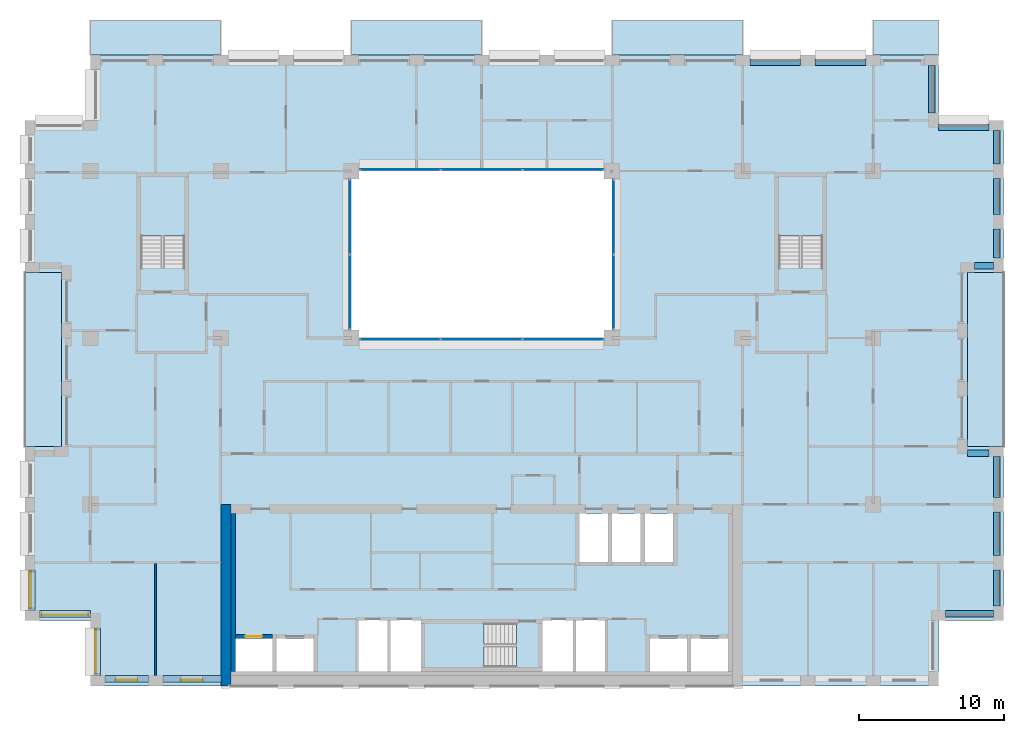
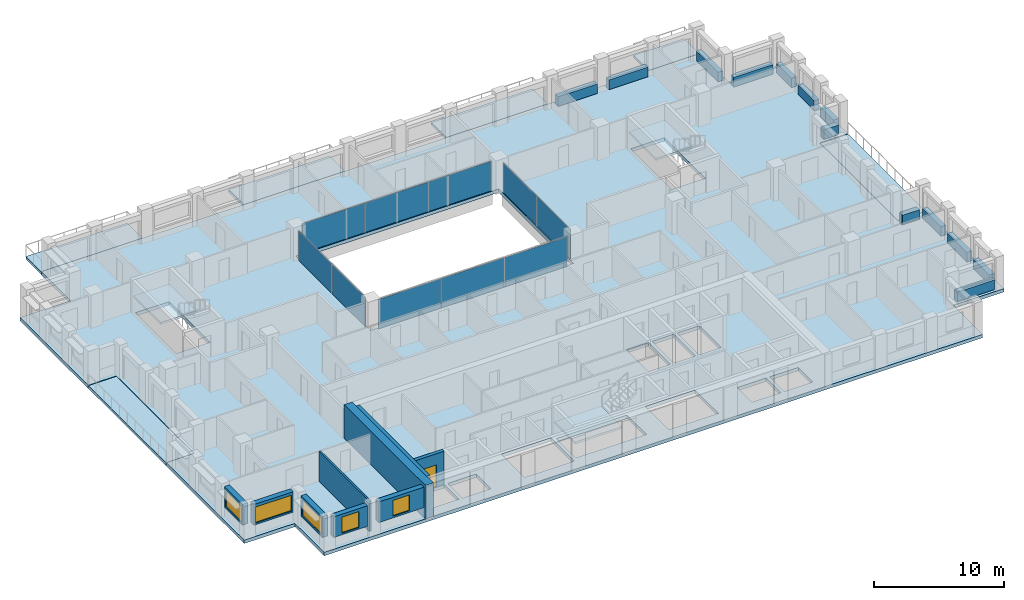
# One storey, part 7 of 15: 13 beams, 10 plates, 10 slabs, 9 walls, 5 windows, 1 door, 6 openings, 7 elements without a shape of their own.
"""IFC4 building model written with IfcOpenShell, lengths in metres."""

from ifc_helpers import new_model, si_unit, direction, frame, frame_2d, origin, origin_2d, place, context, subcontext, project, spatial, polyline, rectangle, outline, extrude, material, layer, layer_set, material_profile, profile_set, type_object, element, fill, aggregate, save


model = new_model("IFC4")

# Units and contexts
model_context = context("Model", 3, precision=1e-05, world=origin(), true_north=direction((0.0, 1.0)))
body_context = subcontext(model_context, "Body", "Model", "MODEL_VIEW")
ifc_project = project(units=[si_unit("LENGTHUNIT", "METRE"), si_unit("AREAUNIT", "SQUARE_METRE"), si_unit("VOLUMEUNIT", "CUBIC_METRE"), si_unit("PLANEANGLEUNIT", "RADIAN"), si_unit("MASSUNIT", "GRAM", prefix="KILO")], contexts=[model_context])

# Site, building, storey
site_placement = place(None, origin())
site = spatial("IfcSite", under=ifc_project, at=site_placement, CompositionType="ELEMENT")
building_placement = place(site_placement, origin())
building = spatial("IfcBuilding", under=site, at=building_placement, Name="Brigalow Station Residences", CompositionType="ELEMENT")
storey_placement = place(building_placement, frame((0.0, 0.0, 175.949951171875)))
storey = spatial("IfcBuildingStorey", under=building, at=storey_placement, Name="L51", CompositionType="ELEMENT", Elevation=175.949951171875)

# Beams
ifc_material_1 = material(Name="Concrete C50", Category="concrete")
ifc_material_profile = material_profile(ifc_material_1, rectangle(XDim=0.449951171875, YDim=0.89990234375, at=origin_2d()), Name="RC450x900")
ifc_profile_set = profile_set([ifc_material_profile], Name="Concrete C50")
beam_type = type_object("IfcBeamType", Name="SPANDREL BEAM 450x900 C50", PredefinedType="SPANDREL", material=ifc_profile_set)
beam_1_placement = place(storey_placement, frame((68.0, 4.97509765625, 0.449951171875), z_axis=(1.0, 0.0, 0.0), x_axis=(0.0, 1.0, 0.0)))
element("IfcBeam", 1, at=beam_1_placement, inside=storey, type_object=beam_type, Name="L51/spandrel/W-L51-8", PredefinedType="SPANDREL", context=body_context, shape_type="SweptSolid", body=[
    extrude(rectangle(XDim=0.449951171875, YDim=0.89990234375, at=origin_2d()), origin(), (0.0, 0.0, 1.0), 3.300048828125),
])
beam_2_placement = place(storey_placement, frame((71.52490234375, 5.5, 0.449951171875), z_axis=(0.0, 1.0, 0.0), x_axis=(-1.0, 0.0, 0.0)))
element("IfcBeam", 2, at=beam_2_placement, inside=storey, type_object=beam_type, Name="L51/spandrel/W-L51-9", PredefinedType="SPANDREL", context=body_context, shape_type="SweptSolid", body=[
    extrude(rectangle(XDim=0.449951171875, YDim=0.89990234375, at=origin_2d()), origin(), (0.0, 0.0, 1.0), 2.5),
])
beam_3_placement = place(storey_placement, frame((71.52490234375, 9.0, 0.449951171875), z_axis=(0.0, 1.0, 0.0), x_axis=(-1.0, 0.0, 0.0)))
element("IfcBeam", 3, at=beam_3_placement, inside=storey, type_object=beam_type, Name="L51/spandrel/W-L51-10", PredefinedType="SPANDREL", context=body_context, shape_type="SweptSolid", body=[
    extrude(rectangle(XDim=0.449951171875, YDim=0.89990234375, at=origin_2d()), origin(), (0.0, 0.0, 1.0), 3.0),
])
beam_4_placement = place(storey_placement, frame((71.52490234375, 13.0, 0.449951171875), z_axis=(0.0, 1.0, 0.0), x_axis=(-1.0, 0.0, 0.0)))
element("IfcBeam", 4, at=beam_4_placement, inside=storey, type_object=beam_type, Name="L51/spandrel/W-L51-11", PredefinedType="SPANDREL", context=body_context, shape_type="SweptSolid", body=[
    extrude(rectangle(XDim=0.449951171875, YDim=0.89990234375, at=origin_2d()), origin(), (0.0, 0.0, 1.0), 2.800048828125),
])
beam_5_placement = place(storey_placement, frame((71.0, 16.02490234375, 0.449951171875), z_axis=(-1.0, 0.0, 0.0), x_axis=(0.0, -1.0, 0.0)))
element("IfcBeam", 5, at=beam_5_placement, inside=storey, type_object=beam_type, Name="L51/spandrel/W-L51-12", PredefinedType="SPANDREL", context=body_context, shape_type="SweptSolid", body=[
    extrude(rectangle(XDim=0.449951171875, YDim=0.89990234375, at=origin_2d()), origin(), (0.0, 0.0, 1.0), 1.5),
])
beam_6_placement = place(storey_placement, frame((70.0, 28.97509765625, 0.449951171875), z_axis=(1.0, 0.0, 0.0), x_axis=(0.0, 1.0, 0.0)))
element("IfcBeam", 6, at=beam_6_placement, inside=storey, type_object=beam_type, Name="L51/spandrel/W-L51-16", PredefinedType="SPANDREL", context=body_context, shape_type="SweptSolid", body=[
    extrude(rectangle(XDim=0.449951171875, YDim=0.89990234375, at=origin_2d()), origin(), (0.0, 0.0, 1.0), 1.300048828125),
])
beam_7_placement = place(storey_placement, frame((71.52490234375, 29.5, 0.449951171875), z_axis=(0.0, 1.0, 0.0), x_axis=(-1.0, 0.0, 0.0)))
element("IfcBeam", 7, at=beam_7_placement, inside=storey, type_object=beam_type, Name="L51/spandrel/W-L51-17", PredefinedType="SPANDREL", context=body_context, shape_type="SweptSolid", body=[
    extrude(rectangle(XDim=0.449951171875, YDim=0.89990234375, at=origin_2d()), origin(), (0.0, 0.0, 1.0), 2.0),
])
beam_8_placement = place(storey_placement, frame((71.52490234375, 32.5, 0.449951171875), z_axis=(0.0, 1.0, 0.0), x_axis=(-1.0, 0.0, 0.0)))
element("IfcBeam", 8, at=beam_8_placement, inside=storey, type_object=beam_type, Name="L51/spandrel/W-L51-18", PredefinedType="SPANDREL", context=body_context, shape_type="SweptSolid", body=[
    extrude(rectangle(XDim=0.449951171875, YDim=0.89990234375, at=origin_2d()), origin(), (0.0, 0.0, 1.0), 2.5),
])
beam_9_placement = place(storey_placement, frame((71.52490234375, 36.0, 0.449951171875), z_axis=(0.0, 1.0, 0.0), x_axis=(-1.0, 0.0, 0.0)))
element("IfcBeam", 9, at=beam_9_placement, inside=storey, type_object=beam_type, Name="L51/spandrel/W-L51-19", PredefinedType="SPANDREL", context=body_context, shape_type="SweptSolid", body=[
    extrude(rectangle(XDim=0.449951171875, YDim=0.89990234375, at=origin_2d()), origin(), (0.0, 0.0, 1.0), 2.300048828125),
])
beam_10_placement = place(storey_placement, frame((71.0, 38.52490234375, 0.449951171875), z_axis=(-1.0, 0.0, 0.0), x_axis=(0.0, -1.0, 0.0)))
element("IfcBeam", 10, at=beam_10_placement, inside=storey, type_object=beam_type, Name="L51/spandrel/W-L51-20", PredefinedType="SPANDREL", context=body_context, shape_type="SweptSolid", body=[
    extrude(rectangle(XDim=0.449951171875, YDim=0.89990234375, at=origin_2d()), origin(), (0.0, 0.0, 1.0), 3.5),
])
beam_11_placement = place(storey_placement, frame((67.02490234375, 39.5, 0.449951171875), z_axis=(0.0, 1.0, 0.0), x_axis=(-1.0, 0.0, 0.0)))
element("IfcBeam", 11, at=beam_11_placement, inside=storey, type_object=beam_type, Name="L51/spandrel/W-L51-21", PredefinedType="SPANDREL", context=body_context, shape_type="SweptSolid", body=[
    extrude(rectangle(XDim=0.449951171875, YDim=0.89990234375, at=origin_2d()), origin(), (0.0, 0.0, 1.0), 3.300048828125),
])
for number, where, z_axis, x_axis, name in (
    (12, (62.5, 43.02490234375, 0.449951171875), (-1.0, 0.0, 0.0), (0.0, -1.0, 0.0), "L51/spandrel/W-L51-23"),
    (13, (58.0, 43.02490234375, 0.449951171875), (-1.0, 0.0, 0.0), (0.0, -1.0, 0.0), "L51/spandrel/W-L51-24"),
):
    element("IfcBeam", number, at=place(storey_placement, frame(where, z_axis=z_axis, x_axis=x_axis)), inside=storey, type_object=beam_type, Name=name, PredefinedType="SPANDREL", context=body_context, shape_type="SweptSolid", body=[
        extrude(rectangle(XDim=0.449951171875, YDim=0.89990234375, at=origin_2d()), origin(), (0.0, 0.0, 1.0), 3.5),
    ])

# Curtain wall, plates
ifc_material_2 = material(Name="Aluminium", Category="aluminium")
ifc_layer_1 = layer(ifc_material_2, 0.14990234375)
ifc_layer_set_1 = layer_set([ifc_layer_1], Name="ATRIUM FIRE-RATED GLAZING CURTAIN WALL")
curtain_wall_type = type_object("IfcCurtainWallType", Name="ATRIUM FIRE-RATED GLAZING CURTAIN WALL", PredefinedType="NOTDEFINED", material=ifc_layer_set_1)
curtain_wall_1_placement = place(storey_placement, origin())
curtain_wall_1 = element("IfcCurtainWall", 14, at=curtain_wall_1_placement, inside=storey, type_object=curtain_wall_type, Name="L51/cw/atrium-S", PredefinedType="NOTDEFINED")
ifc_material_3 = material(Name="Fire-resisting laminated glazing, FRL -/60/-", Category="glass")
ifc_layer_2 = layer(ifc_material_3, 0.031982421875)
ifc_layer_set_2 = layer_set([ifc_layer_2], Name="ATRIUM FIRE-RATED GLAZING PANEL 32")
plate_type = type_object("IfcPlateType", Name="ATRIUM FIRE-RATED GLAZING PANEL 32", PredefinedType="CURTAIN_PANEL", material=ifc_layer_set_2)
plate_1_placement = place(storey_placement, frame((30.381591796875, 23.89990234375, 0.0), z_axis=(0.0, 0.0, 1.0), x_axis=(1.0, 0.0, 0.0)))
plate_1 = element("IfcPlate", 15, at=plate_1_placement, type_object=plate_type, Name="L51/cw/atrium-S/P00-00", PredefinedType="CURTAIN_PANEL", context=body_context, shape_type="SweptSolid", body=[
    extrude(rectangle(XDim=5.543212890625, YDim=0.031982421875, at=origin_2d()), origin(), (0.0, 0.0, 1.0), 2.77001953125),
])
plate_2_placement = place(storey_placement, frame((36.0, 23.89990234375, 0.0), z_axis=(0.0, 0.0, 1.0), x_axis=(1.0, 0.0, 0.0)))
plate_2 = element("IfcPlate", 16, at=plate_2_placement, type_object=plate_type, Name="L51/cw/atrium-S/P01-00", PredefinedType="CURTAIN_PANEL", context=body_context, shape_type="SweptSolid", body=[
    extrude(rectangle(XDim=5.5732421875, YDim=0.031982421875, at=origin_2d()), origin(), (0.0, 0.0, 1.0), 2.77001953125),
])
plate_3_placement = place(storey_placement, frame((41.618408203125, 23.89990234375, 0.0), z_axis=(0.0, 0.0, 1.0), x_axis=(1.0, 0.0, 0.0)))
plate_3 = element("IfcPlate", 17, at=plate_3_placement, type_object=plate_type, Name="L51/cw/atrium-S/P02-00", PredefinedType="CURTAIN_PANEL", context=body_context, shape_type="SweptSolid", body=[
    extrude(rectangle(XDim=5.543212890625, YDim=0.031982421875, at=origin_2d()), origin(), (0.0, 0.0, 1.0), 2.77001953125),
])
aggregate(curtain_wall_1, [plate_1, plate_2, plate_3])

curtain_wall_2_placement = place(storey_placement, origin())
curtain_wall_2 = element("IfcCurtainWall", 18, at=curtain_wall_2_placement, inside=storey, type_object=curtain_wall_type, Name="L51/cw/atrium-E", PredefinedType="NOTDEFINED")
plate_4_placement = place(storey_placement, frame((45.10009765625, 27.1650390625, 0.0), z_axis=(0.0, 0.0, 1.0), x_axis=(0.0, 1.0, 0.0)))
plate_4 = element("IfcPlate", 19, at=plate_4_placement, type_object=plate_type, Name="L51/cw/atrium-E/P00-00", PredefinedType="CURTAIN_PANEL", context=body_context, shape_type="SweptSolid", body=[
    extrude(rectangle(XDim=5.110107421875, YDim=0.031982421875, at=origin_2d()), origin(), (0.0, 0.0, 1.0), 2.77001953125),
])
plate_5_placement = place(storey_placement, frame((45.10009765625, 32.3349609375, 0.0), z_axis=(0.0, 0.0, 1.0), x_axis=(0.0, 1.0, 0.0)))
plate_5 = element("IfcPlate", 20, at=plate_5_placement, type_object=plate_type, Name="L51/cw/atrium-E/P01-00", PredefinedType="CURTAIN_PANEL", context=body_context, shape_type="SweptSolid", body=[
    extrude(rectangle(XDim=5.110107421875, YDim=0.031982421875, at=origin_2d()), origin(), (0.0, 0.0, 1.0), 2.77001953125),
])
aggregate(curtain_wall_2, [plate_4, plate_5])

curtain_wall_3_placement = place(storey_placement, origin())
curtain_wall_3 = element("IfcCurtainWall", 21, at=curtain_wall_3_placement, inside=storey, type_object=curtain_wall_type, Name="L51/cw/atrium-N", PredefinedType="NOTDEFINED")
plate_6_placement = place(storey_placement, frame((41.618408203125, 35.60009765625, 0.0), z_axis=(0.0, 0.0, 1.0), x_axis=(-1.0, 0.0, 0.0)))
plate_6 = element("IfcPlate", 22, at=plate_6_placement, type_object=plate_type, Name="L51/cw/atrium-N/P00-00", PredefinedType="CURTAIN_PANEL", context=body_context, shape_type="SweptSolid", body=[
    extrude(rectangle(XDim=5.543212890625, YDim=0.031982421875, at=origin_2d()), origin(), (0.0, 0.0, 1.0), 2.77001953125),
])
plate_7_placement = place(storey_placement, frame((36.0, 35.60009765625, 0.0), z_axis=(0.0, 0.0, 1.0), x_axis=(-1.0, 0.0, 0.0)))
plate_7 = element("IfcPlate", 23, at=plate_7_placement, type_object=plate_type, Name="L51/cw/atrium-N/P01-00", PredefinedType="CURTAIN_PANEL", context=body_context, shape_type="SweptSolid", body=[
    extrude(rectangle(XDim=5.5732421875, YDim=0.031982421875, at=origin_2d()), origin(), (0.0, 0.0, 1.0), 2.77001953125),
])
plate_8_placement = place(storey_placement, frame((30.381591796875, 35.60009765625, 0.0), z_axis=(0.0, 0.0, 1.0), x_axis=(-1.0, 0.0, 0.0)))
plate_8 = element("IfcPlate", 24, at=plate_8_placement, type_object=plate_type, Name="L51/cw/atrium-N/P02-00", PredefinedType="CURTAIN_PANEL", context=body_context, shape_type="SweptSolid", body=[
    extrude(rectangle(XDim=5.543212890625, YDim=0.031982421875, at=origin_2d()), origin(), (0.0, 0.0, 1.0), 2.77001953125),
])
aggregate(curtain_wall_3, [plate_6, plate_7, plate_8])

curtain_wall_4_placement = place(storey_placement, origin())
curtain_wall_4 = element("IfcCurtainWall", 25, at=curtain_wall_4_placement, inside=storey, type_object=curtain_wall_type, Name="L51/cw/atrium-W", PredefinedType="NOTDEFINED")
plate_9_placement = place(storey_placement, frame((26.89990234375, 32.3349609375, 0.0), z_axis=(0.0, 0.0, 1.0), x_axis=(0.0, -1.0, 0.0)))
plate_9 = element("IfcPlate", 26, at=plate_9_placement, type_object=plate_type, Name="L51/cw/atrium-W/P00-00", PredefinedType="CURTAIN_PANEL", context=body_context, shape_type="SweptSolid", body=[
    extrude(rectangle(XDim=5.110107421875, YDim=0.031982421875, at=origin_2d()), origin(), (0.0, 0.0, 1.0), 2.77001953125),
])
plate_10_placement = place(storey_placement, frame((26.89990234375, 27.1650390625, 0.0), z_axis=(0.0, 0.0, 1.0), x_axis=(0.0, -1.0, 0.0)))
plate_10 = element("IfcPlate", 27, at=plate_10_placement, type_object=plate_type, Name="L51/cw/atrium-W/P01-00", PredefinedType="CURTAIN_PANEL", context=body_context, shape_type="SweptSolid", body=[
    extrude(rectangle(XDim=5.110107421875, YDim=0.031982421875, at=origin_2d()), origin(), (0.0, 0.0, 1.0), 2.77001953125),
])
aggregate(curtain_wall_4, [plate_9, plate_10])

# Slabs
ifc_material_4 = material(Name="Concrete C50 precast", Category="concrete")
ifc_layer_3 = layer(ifc_material_4, 0.25)
ifc_layer_set_3 = layer_set([ifc_layer_3], Name="BALCONY SLAB 250")
slab_type_1 = type_object("IfcSlabType", Name="BALCONY SLAB 250", PredefinedType="USERDEFINED", material=ifc_layer_set_3)
slab_1_placement = place(storey_placement, frame((0.0, 0.0, -0.2900390625)))
element("IfcSlab", 28, at=slab_1_placement, inside=storey, type_object=slab_type_1, Name="L51/balcony/1", ObjectType="BALCONY", PredefinedType="USERDEFINED", context=body_context, shape_type="SweptSolid", body=[
    extrude(outline(polyline([(69.5, 16.5), (72.0, 16.5), (72.0, 28.5), (69.5, 28.5), (69.5, 16.5)])), origin(), (0.0, 0.0, 1.0), 0.25),
])
slab_2_placement = place(storey_placement, frame((0.0, 0.0, -0.2900390625)))
element("IfcSlab", 29, at=slab_2_placement, inside=storey, type_object=slab_type_1, Name="L51/balcony/2", ObjectType="BALCONY", PredefinedType="USERDEFINED", context=body_context, shape_type="SweptSolid", body=[
    extrude(outline(polyline([(67.5, 43.5), (67.5, 45.89990234375), (63.0, 45.89990234375), (63.0, 43.5), (67.5, 43.5)])), origin(), (0.0, 0.0, 1.0), 0.25),
])
slab_3_placement = place(storey_placement, frame((0.0, 0.0, -0.2900390625)))
element("IfcSlab", 30, at=slab_3_placement, inside=storey, type_object=slab_type_1, Name="L51/balcony/3", ObjectType="BALCONY", PredefinedType="USERDEFINED", context=body_context, shape_type="SweptSolid", body=[
    extrude(outline(polyline([(54.0, 43.5), (54.0, 45.89990234375), (45.0, 45.89990234375), (45.0, 43.5), (54.0, 43.5)])), origin(), (0.0, 0.0, 1.0), 0.25),
])
slab_4_placement = place(storey_placement, frame((0.0, 0.0, -0.2900390625)))
element("IfcSlab", 31, at=slab_4_placement, inside=storey, type_object=slab_type_1, Name="L51/balcony/4", ObjectType="BALCONY", PredefinedType="USERDEFINED", context=body_context, shape_type="SweptSolid", body=[
    extrude(outline(polyline([(36.0, 43.5), (36.0, 45.89990234375), (27.0, 45.89990234375), (27.0, 43.5), (36.0, 43.5)])), origin(), (0.0, 0.0, 1.0), 0.25),
])
slab_5_placement = place(storey_placement, frame((0.0, 0.0, -0.2900390625)))
element("IfcSlab", 32, at=slab_5_placement, inside=storey, type_object=slab_type_1, Name="L51/balcony/5", ObjectType="BALCONY", PredefinedType="USERDEFINED", context=body_context, shape_type="SweptSolid", body=[
    extrude(outline(polyline([(18.0, 43.5), (18.0, 45.89990234375), (9.0, 45.89990234375), (9.0, 43.5), (18.0, 43.5)])), origin(), (0.0, 0.0, 1.0), 0.25),
])
slab_6_placement = place(storey_placement, frame((0.0, 0.0, -0.2900390625)))
element("IfcSlab", 33, at=slab_6_placement, inside=storey, type_object=slab_type_1, Name="L51/balcony/6", ObjectType="BALCONY", PredefinedType="USERDEFINED", context=body_context, shape_type="SweptSolid", body=[
    extrude(outline(polyline([(7.0, 28.5), (4.5, 28.5), (4.5, 16.5), (7.0, 16.5), (7.0, 28.5)])), origin(), (0.0, 0.0, 1.0), 0.25),
])
ifc_material_5 = material(Name="Concrete C50", Category="concrete")
ifc_layer_4 = layer(ifc_material_5, 0.320068359375)
ifc_layer_set_4 = layer_set([ifc_layer_4], Name="POST-TENSIONED FLAT PLATE 320 C50")
slab_type_2 = type_object("IfcSlabType", Name="POST-TENSIONED FLAT PLATE 320 C50", PredefinedType="FLOOR", material=ifc_layer_set_4)
slab_7_placement = place(storey_placement, frame((0.0, 0.0, -0.320068359375)))
element("IfcSlab", 34, at=slab_7_placement, inside=storey, type_object=slab_type_2, Name="FLOOR SLAB L51", PredefinedType="FLOOR", context=body_context, shape_type="SweptSolid", body=[
    extrude(outline(polyline([(9.0, 0.0), (67.5, 0.0), (67.5, 4.5), (72.0, 4.5), (72.0, 16.5), (69.5, 16.5), (69.5, 28.5), (72.0, 28.5), (72.0, 39.0), (67.5, 39.0), (67.5, 43.5), (9.0, 43.5), (9.0, 39.0), (4.5, 39.0), (4.5, 28.5), (7.0, 28.5), (7.0, 16.5), (4.5, 16.5), (4.5, 4.5), (9.0, 4.5), (9.0, 0.0)]), holes=[polyline([(12.5048828125, 35.094970703125), (15.4951171875, 35.094970703125), (15.4951171875, 28.804931640625), (12.5048828125, 28.804931640625), (12.5048828125, 35.094970703125)]), polyline([(19.0, 1.0), (19.0, 3.25), (21.550048828125, 3.25), (21.550048828125, 1.0), (19.0, 1.0)]), polyline([(21.85009765625, 3.25), (24.39990234375, 3.25), (24.39990234375, 1.0), (21.85009765625, 1.0), (21.85009765625, 3.25)]), polyline([(27.0, 35.5), (45.0, 35.5), (45.0, 24.0), (27.0, 24.0), (27.0, 35.5)]), polyline([(29.60009765625, 4.60009765625), (31.800048828125, 4.60009765625), (31.800048828125, 1.0), (29.60009765625, 1.0), (27.39990234375, 1.0), (27.39990234375, 4.60009765625), (29.60009765625, 4.60009765625)]), polyline([(32.10498046875, 4.294921875), (38.39501953125, 4.294921875), (38.39501953125, 1.304931640625), (32.10498046875, 1.304931640625), (32.10498046875, 4.294921875)]), polyline([(40.199951171875, 4.60009765625), (42.39990234375, 4.60009765625), (44.60009765625, 4.60009765625), (44.60009765625, 1.0), (42.39990234375, 1.0), (40.199951171875, 1.0), (40.199951171875, 4.60009765625)]), polyline([(42.75, 11.89990234375), (44.699951171875, 11.89990234375), (44.699951171875, 8.550048828125), (42.75, 8.550048828125), (42.75, 11.89990234375)]), polyline([(45.0, 11.89990234375), (46.949951171875, 11.89990234375), (46.949951171875, 8.550048828125), (45.0, 8.550048828125), (45.0, 11.89990234375)]), polyline([(47.25, 11.89990234375), (49.199951171875, 11.89990234375), (49.199951171875, 8.550048828125), (47.25, 8.550048828125), (47.25, 11.89990234375)]), polyline([(47.60009765625, 3.25), (50.14990234375, 3.25), (50.14990234375, 1.0), (47.60009765625, 1.0), (47.60009765625, 3.25)]), polyline([(50.449951171875, 3.25), (53.0, 3.25), (53.0, 1.0), (50.449951171875, 1.0), (50.449951171875, 3.25)]), polyline([(56.5048828125, 35.094970703125), (59.4951171875, 35.094970703125), (59.4951171875, 28.804931640625), (56.5048828125, 28.804931640625), (56.5048828125, 35.094970703125)])]), origin(), (0.0, 0.0, 1.0), 0.320068359375),
])

# Stair, slab
ifc_material_6 = material(Name="Concrete C50", Category="concrete")
stair_type = type_object("IfcStairType", Name="EXIT STAIR 1400 2 FLIGHT", PredefinedType="HALF_TURN_STAIR", material=ifc_material_6)
stair_1_placement = place(storey_placement, origin())
stair_1 = element("IfcStair", 35, at=stair_1_placement, inside=storey, type_object=stair_type, Name="EXIT STAIR S2 L51", PredefinedType="HALF_TURN_STAIR")
ifc_material_7 = material(Name="Concrete C50", Category="concrete")
ifc_layer_5 = layer(ifc_material_7, 0.199951171875)
ifc_layer_set_5 = layer_set([ifc_layer_5], Name="STAIR LANDING 200")
slab_type_3 = type_object("IfcSlabType", Name="STAIR LANDING 200", PredefinedType="LANDING", material=ifc_layer_set_5)
slab_8_placement = place(storey_placement, frame((0.0, 0.0, 1.375)))
slab_8 = element("IfcSlab", 36, at=slab_8_placement, type_object=slab_type_3, Name="ST-2 landing 1", PredefinedType="LANDING", context=body_context, shape_type="SweptSolid", body=[
    extrude(outline(polyline([(32.0, 1.199951171875), (36.159912109375, 1.199951171875), (36.159912109375, 4.39990234375), (32.0, 4.39990234375), (32.0, 1.199951171875)])), origin(), (0.0, 0.0, 1.0), 0.199951171875),
])
aggregate(stair_1, [slab_8])

stair_2_placement = place(storey_placement, origin())
stair_2 = element("IfcStair", 37, at=stair_2_placement, inside=storey, type_object=stair_type, Name="EXIT STAIR S1 L51", PredefinedType="HALF_TURN_STAIR")
slab_9_placement = place(storey_placement, frame((0.0, 0.0, 1.375)))
slab_9 = element("IfcSlab", 38, at=slab_9_placement, type_object=slab_type_3, Name="ST-1 landing 1", PredefinedType="LANDING", context=body_context, shape_type="SweptSolid", body=[
    extrude(outline(polyline([(12.39990234375, 31.0400390625), (15.60009765625, 31.0400390625), (15.60009765625, 35.199951171875), (12.39990234375, 35.199951171875), (12.39990234375, 31.0400390625)])), origin(), (0.0, 0.0, 1.0), 0.199951171875),
])
aggregate(stair_2, [slab_9])

stair_3_placement = place(storey_placement, origin())
stair_3 = element("IfcStair", 39, at=stair_3_placement, inside=storey, type_object=stair_type, Name="EXIT STAIR S3 L51", PredefinedType="HALF_TURN_STAIR")
slab_10_placement = place(storey_placement, frame((0.0, 0.0, 1.375)))
slab_10 = element("IfcSlab", 40, at=slab_10_placement, type_object=slab_type_3, Name="ST-3 landing 1", PredefinedType="LANDING", context=body_context, shape_type="SweptSolid", body=[
    extrude(outline(polyline([(56.39990234375, 31.0400390625), (59.60009765625, 31.0400390625), (59.60009765625, 35.199951171875), (56.39990234375, 35.199951171875), (56.39990234375, 31.0400390625)])), origin(), (0.0, 0.0, 1.0), 0.199951171875),
])
aggregate(stair_3, [slab_10])

# Wall, opening, window
ifc_material_8 = material(Name="Clay brick masonry", Category="masonry")
ifc_layer_6 = layer(ifc_material_8, 0.449951171875)
ifc_layer_set_6 = layer_set([ifc_layer_6], Name="BRICK INFILL WALL 450")
wall_type_1 = type_object("IfcWallType", Name="BRICK INFILL WALL 450", PredefinedType="SOLIDWALL", material=ifc_layer_set_6)
wall_1_placement = place(storey_placement, frame((10.0, 0.47509765625, 0.900146484375), z_axis=(0.0, 0.0, 1.0), x_axis=(1.0, 0.0, 0.0)))
wall_1 = element("IfcWall", 41, at=wall_1_placement, inside=storey, type_object=wall_type_1, Name="L51/ewall/W-L51-1", PredefinedType="SOLIDWALL", context=body_context, shape_type="SweptSolid", body=[
    extrude(rectangle(XDim=3.0, YDim=0.449951171875, at=frame_2d((1.5, 0.0))), origin(), (0.0, 0.0, 1.0), 1.929931640625),
])
opening_1_placement = place(wall_1_placement, frame((0.75, 0.0, 0.14990234375)))
opening_1 = element("IfcOpeningElement", 42, at=opening_1_placement, cuts=wall_1, Name="Opening WT-1", PredefinedType="OPENING", context=body_context, shape_type="SweptSolid", body=[
    extrude(rectangle(XDim=1.5, YDim=1.5, at=frame_2d((0.75, 0.75))), frame((0.0, 0.23486328125, 0.0), z_axis=(0.0, -1.0, 0.0), x_axis=(1.0, 0.0, 0.0)), (0.0, 0.0, 1.0), 0.469970703125),
])
ifc_material_9 = material(Name="Anodised aluminium frame with double glazing", Category="aluminium")
window_type_1 = type_object("IfcWindowType", Name="WINDOW 1500x1500", PartitioningType="SINGLE_PANEL", PredefinedType="WINDOW", material=ifc_material_9)
window_1_placement = place(opening_1_placement, origin())
window_1 = element("IfcWindow", 43, at=window_1_placement, inside=storey, type_object=window_type_1, Name="L51/window/W-L51-1", OverallHeight=1.5, OverallWidth=1.5, PartitioningType="SINGLE_PANEL", PredefinedType="WINDOW", context=body_context, shape_type="SweptSolid", body=[
    extrude(rectangle(XDim=1.5, YDim=1.5, at=frame_2d((0.75, 0.75))), frame((0.0, -0.06494140625, 0.0), z_axis=(0.0, -1.0, 0.0), x_axis=(1.0, 0.0, 0.0)), (0.0, 0.0, 1.0), 0.06005859375),
])
fill(opening_1, window_1)

wall_2_placement = place(storey_placement, frame((14.0, 0.47509765625, 0.900146484375), z_axis=(0.0, 0.0, 1.0), x_axis=(1.0, 0.0, 0.0)))
wall_2 = element("IfcWall", 44, at=wall_2_placement, inside=storey, type_object=wall_type_1, Name="L51/ewall/W-L51-2", PredefinedType="SOLIDWALL", context=body_context, shape_type="SweptSolid", body=[
    extrude(rectangle(XDim=4.0, YDim=0.449951171875, at=frame_2d((2.0, 0.0))), origin(), (0.0, 0.0, 1.0), 1.929931640625),
])
opening_2_placement = place(wall_2_placement, frame((1.25, 0.0, 0.14990234375)))
opening_2 = element("IfcOpeningElement", 45, at=opening_2_placement, cuts=wall_2, Name="Opening WT-1", PredefinedType="OPENING", context=body_context, shape_type="SweptSolid", body=[
    extrude(rectangle(XDim=1.5, YDim=1.5, at=frame_2d((0.75, 0.75))), frame((0.0, 0.23486328125, 0.0), z_axis=(0.0, -1.0, 0.0), x_axis=(1.0, 0.0, 0.0)), (0.0, 0.0, 1.0), 0.469970703125),
])
window_2_placement = place(opening_2_placement, origin())
window_2 = element("IfcWindow", 46, at=window_2_placement, inside=storey, type_object=window_type_1, Name="L51/window/W-L51-2", OverallHeight=1.5, OverallWidth=1.5, PartitioningType="SINGLE_PANEL", PredefinedType="WINDOW", context=body_context, shape_type="SweptSolid", body=[
    extrude(rectangle(XDim=1.5, YDim=1.5, at=frame_2d((0.75, 0.75))), frame((0.0, -0.06494140625, 0.0), z_axis=(0.0, -1.0, 0.0), x_axis=(1.0, 0.0, 0.0)), (0.0, 0.0, 1.0), 0.06005859375),
])
fill(opening_2, window_2)

wall_3_placement = place(storey_placement, frame((4.97509765625, 8.0, 0.900146484375), z_axis=(0.0, 0.0, 1.0), x_axis=(0.0, -1.0, 0.0)))
wall_3 = element("IfcWall", 47, at=wall_3_placement, inside=storey, type_object=wall_type_1, Name="L51/ewall/W-L51-47", PredefinedType="SOLIDWALL", context=body_context, shape_type="SweptSolid", body=[
    extrude(rectangle(XDim=2.800048828125, YDim=0.449951171875, at=frame_2d((1.39990234375, 0.0))), origin(), (0.0, 0.0, 1.0), 1.929931640625),
])
opening_3_placement = place(wall_3_placement, frame((0.14990234375, 0.0, 0.14990234375)))
opening_3 = element("IfcOpeningElement", 48, at=opening_3_placement, cuts=wall_3, Name="Opening WT-5", PredefinedType="OPENING", context=body_context, shape_type="SweptSolid", body=[
    extrude(rectangle(XDim=2.5, YDim=1.5, at=frame_2d((1.25, 0.75))), frame((0.0, 0.23486328125, 0.0), z_axis=(0.0, -1.0, 0.0), x_axis=(1.0, 0.0, 0.0)), (0.0, 0.0, 1.0), 0.469970703125),
])
ifc_material_10 = material(Name="Anodised aluminium frame with double glazing", Category="aluminium")
window_type_2 = type_object("IfcWindowType", Name="WINDOW 2500x1500", PartitioningType="SINGLE_PANEL", PredefinedType="WINDOW", material=ifc_material_10)
window_3_placement = place(opening_3_placement, origin())
window_3 = element("IfcWindow", 49, at=window_3_placement, inside=storey, type_object=window_type_2, Name="L51/window/W-L51-47", OverallHeight=1.5, OverallWidth=2.5, PartitioningType="SINGLE_PANEL", PredefinedType="WINDOW", context=body_context, shape_type="SweptSolid", body=[
    extrude(rectangle(XDim=2.5, YDim=1.5, at=frame_2d((1.25, 0.75))), frame((0.0, -0.06494140625, 0.0), z_axis=(0.0, -1.0, 0.0), x_axis=(1.0, 0.0, 0.0)), (0.0, 0.0, 1.0), 0.06005859375),
])
fill(opening_3, window_3)

wall_4_placement = place(storey_placement, frame((5.5, 4.97509765625, 0.900146484375), z_axis=(0.0, 0.0, 1.0), x_axis=(1.0, 0.0, 0.0)))
wall_4 = element("IfcWall", 50, at=wall_4_placement, inside=storey, type_object=wall_type_1, Name="L51/ewall/W-L51-48", PredefinedType="SOLIDWALL", context=body_context, shape_type="SweptSolid", body=[
    extrude(rectangle(XDim=3.5, YDim=0.449951171875, at=frame_2d((1.75, 0.0))), origin(), (0.0, 0.0, 1.0), 1.929931640625),
])
opening_4_placement = place(wall_4_placement, frame((0.14990234375, 0.0, 0.14990234375)))
opening_4 = element("IfcOpeningElement", 51, at=opening_4_placement, cuts=wall_4, Name="Opening WT-9", PredefinedType="OPENING", context=body_context, shape_type="SweptSolid", body=[
    extrude(rectangle(XDim=3.199951171875, YDim=1.5, at=frame_2d((1.60009765625, 0.75))), frame((0.0, 0.23486328125, 0.0), z_axis=(0.0, -1.0, 0.0), x_axis=(1.0, 0.0, 0.0)), (0.0, 0.0, 1.0), 0.469970703125),
])
ifc_material_11 = material(Name="Anodised aluminium frame with double glazing", Category="aluminium")
window_type_3 = type_object("IfcWindowType", Name="WINDOW 3200x1500", PartitioningType="SINGLE_PANEL", PredefinedType="WINDOW", material=ifc_material_11)
window_4_placement = place(opening_4_placement, origin())
window_4 = element("IfcWindow", 52, at=window_4_placement, inside=storey, type_object=window_type_3, Name="L51/window/W-L51-48", OverallHeight=1.5, OverallWidth=3.199951171875, PartitioningType="SINGLE_PANEL", PredefinedType="WINDOW", context=body_context, shape_type="SweptSolid", body=[
    extrude(rectangle(XDim=3.199951171875, YDim=1.5, at=frame_2d((1.60009765625, 0.75))), frame((0.0, -0.06494140625, 0.0), z_axis=(0.0, -1.0, 0.0), x_axis=(1.0, 0.0, 0.0)), (0.0, 0.0, 1.0), 0.06005859375),
])
fill(opening_4, window_4)

wall_5_placement = place(storey_placement, frame((9.47509765625, 4.0, 0.900146484375), z_axis=(0.0, 0.0, 1.0), x_axis=(0.0, -1.0, 0.0)))
wall_5 = element("IfcWall", 53, at=wall_5_placement, inside=storey, type_object=wall_type_1, Name="L51/ewall/W-L51-49", PredefinedType="SOLIDWALL", context=body_context, shape_type="SweptSolid", body=[
    extrude(rectangle(XDim=3.300048828125, YDim=0.449951171875, at=frame_2d((1.64990234375, 0.0))), origin(), (0.0, 0.0, 1.0), 1.929931640625),
])
opening_5_placement = place(wall_5_placement, frame((0.14990234375, 0.0, 0.14990234375)))
opening_5 = element("IfcOpeningElement", 54, at=opening_5_placement, cuts=wall_5, Name="Opening WT-2", PredefinedType="OPENING", context=body_context, shape_type="SweptSolid", body=[
    extrude(rectangle(XDim=3.0, YDim=1.5, at=frame_2d((1.5, 0.75))), frame((0.0, 0.23486328125, 0.0), z_axis=(0.0, -1.0, 0.0), x_axis=(1.0, 0.0, 0.0)), (0.0, 0.0, 1.0), 0.469970703125),
])
ifc_material_12 = material(Name="Anodised aluminium frame with double glazing", Category="aluminium")
window_type_4 = type_object("IfcWindowType", Name="WINDOW 3000x1500", PartitioningType="SINGLE_PANEL", PredefinedType="WINDOW", material=ifc_material_12)
window_5_placement = place(opening_5_placement, origin())
window_5 = element("IfcWindow", 55, at=window_5_placement, inside=storey, type_object=window_type_4, Name="L51/window/W-L51-49", OverallHeight=1.5, OverallWidth=3.0, PartitioningType="SINGLE_PANEL", PredefinedType="WINDOW", context=body_context, shape_type="SweptSolid", body=[
    extrude(rectangle(XDim=3.0, YDim=1.5, at=frame_2d((1.5, 0.75))), frame((0.0, -0.06494140625, 0.0), z_axis=(0.0, -1.0, 0.0), x_axis=(1.0, 0.0, 0.0)), (0.0, 0.0, 1.0), 0.06005859375),
])
fill(opening_5, window_5)

# Wall
ifc_material_13 = material(Name="Concrete C65", Category="concrete")
ifc_layer_7 = layer(ifc_material_13, 0.300048828125)
ifc_layer_set_7 = layer_set([ifc_layer_7], Name="CORE SHEAR WALL 300 C65")
wall_type_2 = type_object("IfcWallType", Name="CORE SHEAR WALL 300 C65", PredefinedType="SHEAR", material=ifc_layer_set_7)
wall_6_placement = place(storey_placement, frame((18.85009765625, 1.0, 0.0), z_axis=(0.0, 0.0, 1.0), x_axis=(0.0, 1.0, 0.0)))
element("IfcWall", 56, at=wall_6_placement, inside=storey, type_object=wall_type_2, Name="CORE WALL LIN-W L51", PredefinedType="SHEAR", context=body_context, shape_type="SweptSolid", body=[
    extrude(rectangle(XDim=10.89990234375, YDim=0.300048828125, at=frame_2d((5.449951171875, 0.0))), origin(), (0.0, 0.0, 1.0), 3.150146484375),
])

# Wall, opening, door
wall_7_placement = place(storey_placement, frame((19.0, 3.39990234375, 0.0), z_axis=(0.0, 0.0, 1.0), x_axis=(1.0, 0.0, 0.0)))
wall_7 = element("IfcWall", 57, at=wall_7_placement, inside=storey, type_object=wall_type_2, Name="CORE WALL SH-C1-N L51", PredefinedType="SHEAR", context=body_context, shape_type="SweptSolid", body=[
    extrude(rectangle(XDim=2.550048828125, YDim=0.300048828125, at=frame_2d((1.27490234375, 0.0))), origin(), (0.0, 0.0, 1.0), 3.150146484375),
])
opening_6_placement = place(wall_7_placement, frame((0.675048828125, 0.0, 0.0)))
opening_6 = element("IfcOpeningElement", 58, at=opening_6_placement, cuts=wall_7, Name="Opening LD-LB1", PredefinedType="OPENING", context=body_context, shape_type="SweptSolid", body=[
    extrude(rectangle(XDim=1.199951171875, YDim=2.10009765625, at=frame_2d((0.60009765625, 1.050048828125))), frame((0.0, 0.16015625, 0.0), z_axis=(0.0, -1.0, 0.0), x_axis=(1.0, 0.0, 0.0)), (0.0, 0.0, 1.0), 0.320068359375),
])
ifc_material_14 = material(Name="Stainless steel sliding door leaves", Category="steel")
door_type = type_object("IfcDoorType", Name="LIFT LANDING DOOR 1200 x 2100", OperationType="DOUBLE_DOOR_SLIDING", PredefinedType="DOOR", material=ifc_material_14)
door_placement = place(opening_6_placement, origin())
door = element("IfcDoor", 59, at=door_placement, inside=storey, type_object=door_type, Name="LANDING DOOR LB1", OperationType="DOUBLE_DOOR_SLIDING", OverallHeight=2.10009765625, OverallWidth=1.199951171875, PredefinedType="DOOR", context=body_context, shape_type="SweptSolid", body=[
    extrude(rectangle(XDim=1.199951171875, YDim=2.10009765625, at=frame_2d((0.60009765625, 1.050048828125))), frame((0.0, 0.02490234375, 0.0), z_axis=(0.0, -1.0, 0.0), x_axis=(1.0, 0.0, 0.0)), (0.0, 0.0, 1.0), 0.050048828125),
])
fill(opening_6, door)

# Walls
ifc_material_15 = material(Name="Concrete C65", Category="concrete")
ifc_layer_8 = layer(ifc_material_15, 0.699951171875)
ifc_layer_set_8 = layer_set([ifc_layer_8], Name="CORE SHEAR WALL 700 C65")
wall_type_3 = type_object("IfcWallType", Name="CORE SHEAR WALL 700 C65", PredefinedType="SHEAR", material=ifc_layer_set_8)
wall_8_placement = place(storey_placement, frame((18.35009765625, 0.0, 0.0), z_axis=(0.0, 0.0, 1.0), x_axis=(0.0, 1.0, 0.0)))
element("IfcWall", 60, at=wall_8_placement, inside=storey, type_object=wall_type_3, Name="CORE WALL OUT-W L51", PredefinedType="SHEAR", context=body_context, shape_type="SweptSolid", body=[
    extrude(rectangle(XDim=12.5, YDim=0.699951171875, at=frame_2d((6.25, 0.0))), origin(), (0.0, 0.0, 1.0), 3.150146484375),
])
ifc_material_16 = material(Name="Plasterboard on steel stud partition", Category="steel")
ifc_layer_9 = layer(ifc_material_16, 0.14990234375)
ifc_layer_set_9 = layer_set([ifc_layer_9], Name="FLAT PARTITION 150")
wall_type_4 = type_object("IfcWallType", Name="FLAT PARTITION 150", PredefinedType="PARTITIONING", material=ifc_layer_set_9)
wall_9_placement = place(storey_placement, frame((13.5, 0.699951171875, 0.0), z_axis=(0.0, 0.0, 1.0), x_axis=(0.0, 1.0, 0.0)))
element("IfcWall", 61, at=wall_9_placement, inside=storey, type_object=wall_type_4, Name="PW-3E35", PredefinedType="PARTITIONING", context=body_context, shape_type="SweptSolid", body=[
    extrude(rectangle(XDim=7.72509765625, YDim=0.14990234375, at=frame_2d((3.862548828125, 0.0))), origin(), (0.0, 0.0, 1.0), 2.830078125),
])

save(model, "model.ifc")
